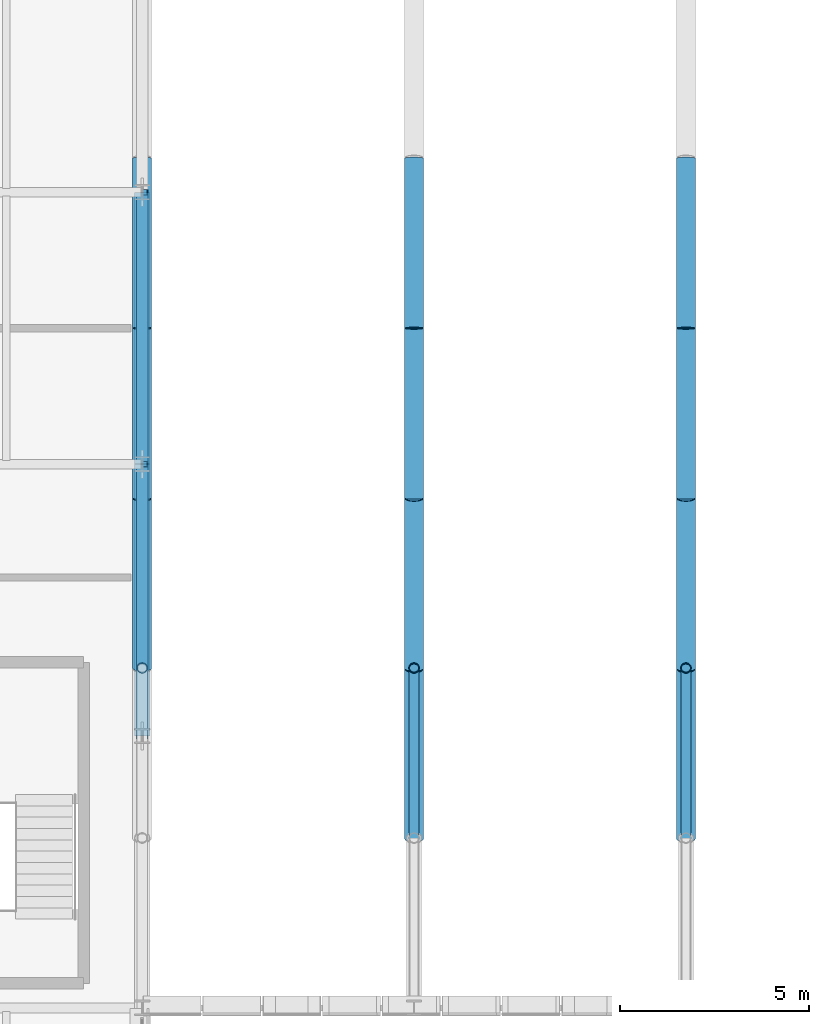
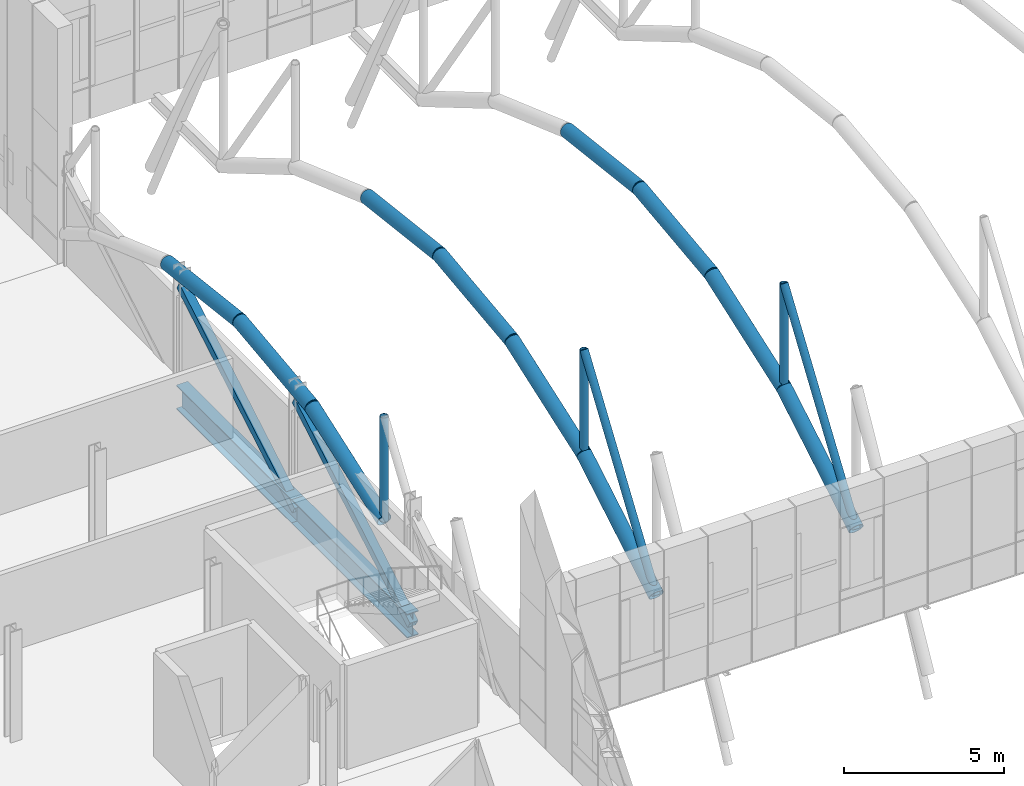
# One storey, part 30 of 144: 18 members, 2 beams.
"""IFC4 building model written with IfcOpenShell, lengths in metres."""

from ifc_helpers import new_model, si_unit, direction, frame, origin, origin_2d, place, context, subcontext, project, spatial, hollow_rectangle, hollow_circle, i_section, extrude, material, material_profile, profile_set, type_object, element, save


model = new_model("IFC4")

# Units and contexts
model_context = context("Model", 3, precision=1e-05, world=origin(), true_north=direction((0.0, 1.0)))
body_context = subcontext(model_context, "Body", "Model", "MODEL_VIEW")
ifc_project = project(units=[si_unit("LENGTHUNIT", "METRE"), si_unit("AREAUNIT", "SQUARE_METRE"), si_unit("VOLUMEUNIT", "CUBIC_METRE"), si_unit("PLANEANGLEUNIT", "RADIAN"), si_unit("MASSUNIT", "GRAM", prefix="KILO")], contexts=[model_context])

# Site, building, storey
site_placement = place(None, origin())
site = spatial("IfcSite", under=ifc_project, at=site_placement, CompositionType="ELEMENT")
building_placement = place(site_placement, origin())
building = spatial("IfcBuilding", under=site, at=building_placement, Name="Yarey Park Central Fire Station", CompositionType="ELEMENT")
storey_placement = place(building_placement, frame((0.0, 0.0, 10.199951171875)))
storey = spatial("IfcBuildingStorey", under=building, at=storey_placement, Name="L03", CompositionType="ELEMENT", Elevation=10.199951171875)

# Beams
ifc_material_1 = material(Name="Steel ASTM A992 Gr. 50", Category="steel")
ifc_material_profile_1 = material_profile(ifc_material_1, i_section(OverallWidth=0.41796875, OverallDepth=0.912109375, WebThickness=0.019287109375, FlangeThickness=0.031982421875, at=origin_2d()), Name="W920x342")
ifc_profile_set_1 = profile_set([ifc_material_profile_1], Name="Steel ASTM A992 Gr. 50")
beam_type = type_object("IfcBeamType", Name="STR_BM_W920E", PredefinedType="BEAM", material=ifc_profile_set_1)
for number, where, z_axis, x_axis, name in (
    (1, (57.60009765625, 64.800048828125, -0.716064453125), (0.0, 1.0, 0.0), (-1.0, 0.0, 0.0), "Transfer Truss TT5 L03 CH2"),
    (2, (57.60009765625, 72.0, -0.716064453125), (0.0, 1.0, 0.0), (-1.0, 0.0, 0.0), "Transfer Truss TT5 L03 CH3"),
):
    element("IfcBeam", number, at=place(storey_placement, frame(where, z_axis=z_axis, x_axis=x_axis)), inside=storey, type_object=beam_type, Name=name, PredefinedType="BEAM", context=body_context, shape_type="SweptSolid", body=[
        extrude(i_section(OverallWidth=0.41796875, OverallDepth=0.912109375, WebThickness=0.019287109375, FlangeThickness=0.031982421875, at=origin_2d()), origin(), (0.0, 0.0, 1.0), 7.199951171875),
    ])

# Members
ifc_material_2 = material(Name="Steel ASTM A500 Gr. C", Category="steel")
ifc_material_profile_2 = material_profile(ifc_material_2, hollow_circle(Radius=0.25390625, WallThickness=0.02001953125, at=origin_2d()), Name="CHS 508x20")
ifc_profile_set_2 = profile_set([ifc_material_profile_2], Name="Steel ASTM A500 Gr. C")
member_type_1 = type_object("IfcMemberType", Name="STR_CHORD_CHS508", PredefinedType="CHORD", material=ifc_profile_set_2)
member_1_placement = place(storey_placement, frame((57.60009765625, 66.60009765625, 2.175048828125), z_axis=(0.0, 0.942627225161, 0.333847142245), x_axis=(-1.0, 0.0, 0.0)))
element("IfcMember", 3, at=member_1_placement, inside=storey, type_object=member_type_1, Name="Arched Roof Truss ART_01 Bottom Chord 3", PredefinedType="CHORD", context=body_context, shape_type="SweptSolid", body=[
    extrude(hollow_circle(Radius=0.25390625, WallThickness=0.02001953125, at=origin_2d()), origin(), (0.0, 0.0, 1.0), 4.77392578125),
])
for number, where, z_axis, x_axis, name in (
    (4, (57.60009765625, 71.10009765625, 3.768798828125), (0.0, 0.993103448276, 0.11724137931), (-1.0, 0.0, 0.0), "Arched Roof Truss ART_01 Bottom Chord 4"),
    (5, (57.60009765625, 75.60009765625, 4.300048828125), (0.0, 0.993103448276, -0.11724137931), (-1.0, 0.0, 0.0), "Arched Roof Truss ART_01 Bottom Chord 5"),
):
    element("IfcMember", number, at=place(storey_placement, frame(where, z_axis=z_axis, x_axis=x_axis)), inside=storey, type_object=member_type_1, Name=name, PredefinedType="CHORD", context=body_context, shape_type="SweptSolid", body=[
        extrude(hollow_circle(Radius=0.25390625, WallThickness=0.02001953125, at=origin_2d()), origin(), (0.0, 0.0, 1.0), 4.53125),
    ])
member_2_placement = place(storey_placement, frame((64.800048828125, 62.10009765625, -0.481201171875), z_axis=(0.0, 0.8611645473, 0.508326295281), x_axis=(-1.0, 0.0, 0.0)))
element("IfcMember", 6, at=member_2_placement, inside=storey, type_object=member_type_1, Name="Arched Roof Truss ART_02 Bottom Chord 2", PredefinedType="CHORD", context=body_context, shape_type="SweptSolid", body=[
    extrude(hollow_circle(Radius=0.25390625, WallThickness=0.02001953125, at=origin_2d()), origin(), (0.0, 0.0, 1.0), 5.2255859375),
])
member_3_placement = place(storey_placement, frame((64.800048828125, 66.60009765625, 2.175048828125), z_axis=(0.0, 0.942627225161, 0.333847142245), x_axis=(-1.0, 0.0, 0.0)))
element("IfcMember", 7, at=member_3_placement, inside=storey, type_object=member_type_1, Name="Arched Roof Truss ART_02 Bottom Chord 3", PredefinedType="CHORD", context=body_context, shape_type="SweptSolid", body=[
    extrude(hollow_circle(Radius=0.25390625, WallThickness=0.02001953125, at=origin_2d()), origin(), (0.0, 0.0, 1.0), 4.77392578125),
])
for number, where, z_axis, x_axis, name in (
    (8, (64.800048828125, 71.10009765625, 3.768798828125), (0.0, 0.993103448276, 0.11724137931), (-1.0, 0.0, 0.0), "Arched Roof Truss ART_02 Bottom Chord 4"),
    (9, (64.800048828125, 75.60009765625, 4.300048828125), (0.0, 0.993103448276, -0.11724137931), (-1.0, 0.0, 0.0), "Arched Roof Truss ART_02 Bottom Chord 5"),
):
    element("IfcMember", number, at=place(storey_placement, frame(where, z_axis=z_axis, x_axis=x_axis)), inside=storey, type_object=member_type_1, Name=name, PredefinedType="CHORD", context=body_context, shape_type="SweptSolid", body=[
        extrude(hollow_circle(Radius=0.25390625, WallThickness=0.02001953125, at=origin_2d()), origin(), (0.0, 0.0, 1.0), 4.53125),
    ])
member_4_placement = place(storey_placement, frame((72.0, 62.10009765625, -0.481201171875), z_axis=(0.0, 0.8611645473, 0.508326295281), x_axis=(-1.0, 0.0, 0.0)))
element("IfcMember", 10, at=member_4_placement, inside=storey, type_object=member_type_1, Name="Arched Roof Truss ART_03 Bottom Chord 2", PredefinedType="CHORD", context=body_context, shape_type="SweptSolid", body=[
    extrude(hollow_circle(Radius=0.25390625, WallThickness=0.02001953125, at=origin_2d()), origin(), (0.0, 0.0, 1.0), 5.2255859375),
])
member_5_placement = place(storey_placement, frame((72.0, 66.60009765625, 2.175048828125), z_axis=(0.0, 0.942627225161, 0.333847142245), x_axis=(-1.0, 0.0, 0.0)))
element("IfcMember", 11, at=member_5_placement, inside=storey, type_object=member_type_1, Name="Arched Roof Truss ART_03 Bottom Chord 3", PredefinedType="CHORD", context=body_context, shape_type="SweptSolid", body=[
    extrude(hollow_circle(Radius=0.25390625, WallThickness=0.02001953125, at=origin_2d()), origin(), (0.0, 0.0, 1.0), 4.77392578125),
])
for number, where, z_axis, x_axis, name in (
    (12, (72.0, 71.10009765625, 3.768798828125), (0.0, 0.993103448276, 0.11724137931), (-1.0, 0.0, 0.0), "Arched Roof Truss ART_03 Bottom Chord 4"),
    (13, (72.0, 75.60009765625, 4.300048828125), (0.0, 0.993103448276, -0.11724137931), (-1.0, 0.0, 0.0), "Arched Roof Truss ART_03 Bottom Chord 5"),
):
    element("IfcMember", number, at=place(storey_placement, frame(where, z_axis=z_axis, x_axis=x_axis)), inside=storey, type_object=member_type_1, Name=name, PredefinedType="CHORD", context=body_context, shape_type="SweptSolid", body=[
        extrude(hollow_circle(Radius=0.25390625, WallThickness=0.02001953125, at=origin_2d()), origin(), (0.0, 0.0, 1.0), 4.53125),
    ])
ifc_material_profile_3 = material_profile(ifc_material_2, hollow_rectangle(XDim=0.300048828125, YDim=0.300048828125, WallThickness=0.01611328125, at=origin_2d()), Name="HSS 300x300x16")
ifc_profile_set_3 = profile_set([ifc_material_profile_3], Name="Steel ASTM A500 Gr. C")
member_type_2 = type_object("IfcMemberType", Name="STR_PRATT_HSS300E", PredefinedType="BRACE", material=ifc_profile_set_3)
for number, where, z_axis, x_axis, name in (
    (14, (57.60009765625, 64.800048828125, -0.699951171875), (0.0, 0.863779963214, 0.503869204407), (-1.0, 0.0, 0.0), "TT5_L03_DIAG2"),
    (15, (57.60009765625, 72.0, -0.699951171875), (0.0, 0.863779963214, 0.503869204407), (-1.0, 0.0, 0.0), "TT5_L03_DIAG3"),
):
    element("IfcMember", number, at=place(storey_placement, frame(where, z_axis=z_axis, x_axis=x_axis)), inside=storey, type_object=member_type_2, Name=name, PredefinedType="BRACE", context=body_context, shape_type="SweptSolid", body=[
        extrude(hollow_rectangle(XDim=0.300048828125, YDim=0.300048828125, WallThickness=0.01611328125, at=origin_2d()), origin(), (0.0, 0.0, 1.0), 8.33544921875),
    ])
ifc_material_profile_4 = material_profile(ifc_material_2, hollow_circle(Radius=0.136474609375, WallThickness=0.012451171875, at=origin_2d()), Name="CHS 273x12.5")
ifc_profile_set_4 = profile_set([ifc_material_profile_4], Name="Steel ASTM A500 Gr. C")
member_type_3 = type_object("IfcMemberType", Name="STR_WEB_CHS273", PredefinedType="BRACE", material=ifc_profile_set_4)
member_6_placement = place(storey_placement, frame((57.60009765625, 66.60009765625, 2.175048828125), z_axis=(0.0, 0.0, 1.0), x_axis=(1.0, 0.0, 0.0)))
element("IfcMember", 16, at=member_6_placement, inside=storey, type_object=member_type_3, Name="Arched Roof Truss ART_01 Vertical 3", PredefinedType="BRACE", context=body_context, shape_type="SweptSolid", body=[
    extrude(hollow_circle(Radius=0.136474609375, WallThickness=0.012451171875, at=origin_2d()), origin(), (0.0, 0.0, 1.0), 3.965087890625),
])
member_7_placement = place(storey_placement, frame((64.800048828125, 62.10009765625, -0.481201171875), z_axis=(0.0, 0.562095632178, 0.82707224611), x_axis=(-1.0, 0.0, 0.0)))
element("IfcMember", 17, at=member_7_placement, inside=storey, type_object=member_type_3, Name="Arched Roof Truss ART_02 Diagonal 2", PredefinedType="BRACE", context=body_context, shape_type="SweptSolid", body=[
    extrude(hollow_circle(Radius=0.136474609375, WallThickness=0.012451171875, at=origin_2d()), origin(), (0.0, 0.0, 1.0), 8.005859375),
])
member_8_placement = place(storey_placement, frame((64.800048828125, 66.60009765625, 2.175048828125), z_axis=(0.0, 0.0, 1.0), x_axis=(1.0, 0.0, 0.0)))
element("IfcMember", 18, at=member_8_placement, inside=storey, type_object=member_type_3, Name="Arched Roof Truss ART_02 Vertical 3", PredefinedType="BRACE", context=body_context, shape_type="SweptSolid", body=[
    extrude(hollow_circle(Radius=0.136474609375, WallThickness=0.012451171875, at=origin_2d()), origin(), (0.0, 0.0, 1.0), 3.965087890625),
])
member_9_placement = place(storey_placement, frame((72.0, 62.10009765625, -0.481201171875), z_axis=(0.0, 0.562095632178, 0.82707224611), x_axis=(-1.0, 0.0, 0.0)))
element("IfcMember", 19, at=member_9_placement, inside=storey, type_object=member_type_3, Name="Arched Roof Truss ART_03 Diagonal 2", PredefinedType="BRACE", context=body_context, shape_type="SweptSolid", body=[
    extrude(hollow_circle(Radius=0.136474609375, WallThickness=0.012451171875, at=origin_2d()), origin(), (0.0, 0.0, 1.0), 8.005859375),
])
member_10_placement = place(storey_placement, frame((72.0, 66.60009765625, 2.175048828125), z_axis=(0.0, 0.0, 1.0), x_axis=(1.0, 0.0, 0.0)))
element("IfcMember", 20, at=member_10_placement, inside=storey, type_object=member_type_3, Name="Arched Roof Truss ART_03 Vertical 3", PredefinedType="BRACE", context=body_context, shape_type="SweptSolid", body=[
    extrude(hollow_circle(Radius=0.136474609375, WallThickness=0.012451171875, at=origin_2d()), origin(), (0.0, 0.0, 1.0), 3.965087890625),
])

save(model, "model.ifc")
